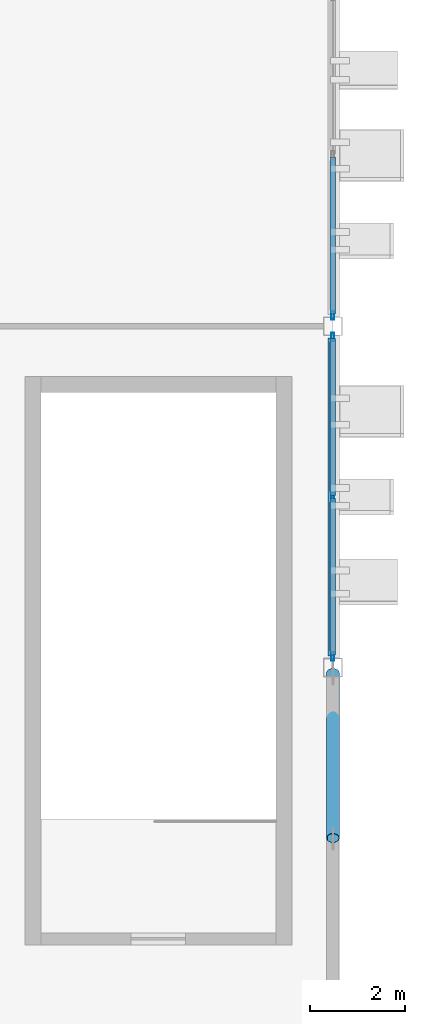
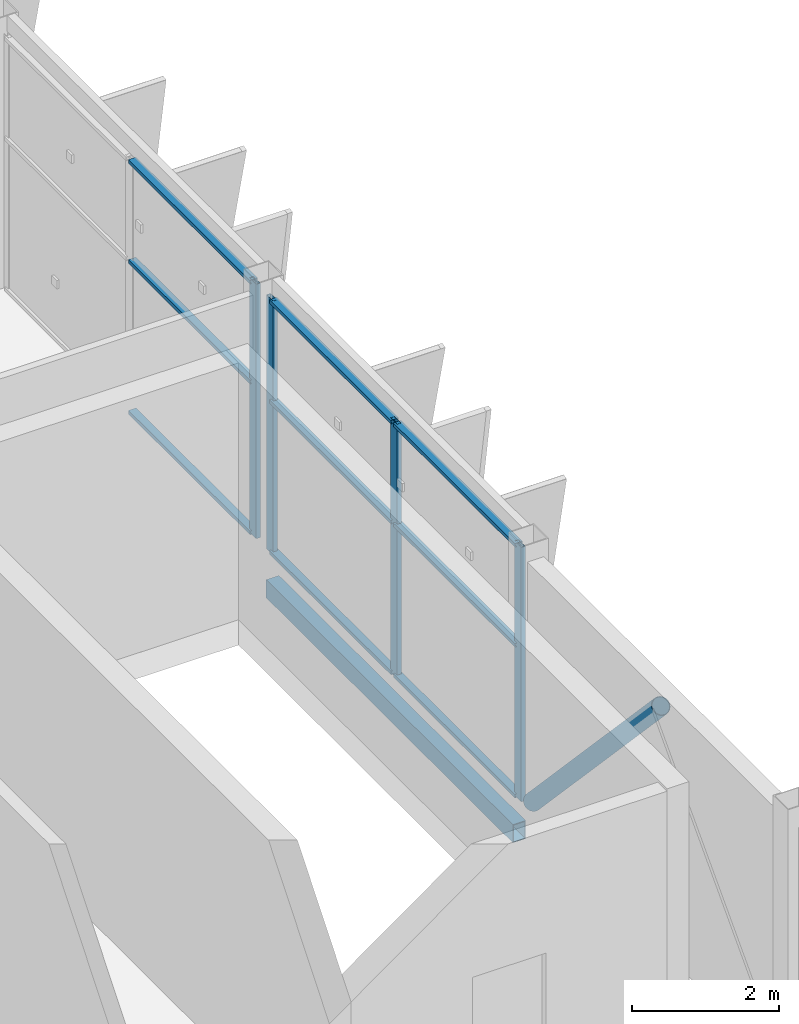
# One storey, part 83 of 151: 14 members, 1 beam, 2 elements without a shape of their own.
"""IFC4 building model written with IfcOpenShell, lengths in metres."""

from ifc_helpers import new_model, si_unit, direction, frame, origin, origin_2d, place, context, subcontext, project, spatial, hollow_rectangle, hollow_circle, extrude, material, layer, layer_set, material_profile, profile_set, type_object, element, aggregate, save


model = new_model("IFC4")

# Units and contexts
model_context = context("Model", 3, precision=1e-05, world=origin(), true_north=direction((0.0, 1.0)))
body_context = subcontext(model_context, "Body", "Model", "MODEL_VIEW")
ifc_project = project(units=[si_unit("LENGTHUNIT", "METRE"), si_unit("AREAUNIT", "SQUARE_METRE"), si_unit("VOLUMEUNIT", "CUBIC_METRE"), si_unit("PLANEANGLEUNIT", "RADIAN"), si_unit("MASSUNIT", "GRAM", prefix="KILO")], contexts=[model_context])

# Site, building, storey
site_placement = place(None, origin())
site = spatial("IfcSite", under=ifc_project, at=site_placement, CompositionType="ELEMENT")
building_placement = place(site_placement, origin())
building = spatial("IfcBuilding", under=site, at=building_placement, Name="Celestram Park Convention Centre", CompositionType="ELEMENT")
storey_placement = place(building_placement, frame((0.0, 0.0, 10.800048828125)))
storey = spatial("IfcBuildingStorey", under=building, at=storey_placement, Name="L02", CompositionType="ELEMENT", Elevation=10.800048828125)

# Curtain wall, member
ifc_material_1 = material(Name="Anodised Aluminium Alloy 6063-T6", Category="aluminium")
ifc_layer = layer(ifc_material_1, 0.179931640625)
ifc_layer_set = layer_set([ifc_layer], Name="Anodised Aluminium Alloy 6063-T6")
curtain_wall_type = type_object("IfcCurtainWallType", Name="ARC-CW-680X422", PredefinedType="NOTDEFINED", material=ifc_layer_set)
curtain_wall_1_placement = place(storey_placement, origin())
curtain_wall_1 = element("IfcCurtainWall", 1, at=curtain_wall_1_placement, inside=storey, type_object=curtain_wall_type, Name="Unitised curtain wall CU-L02-173", PredefinedType="NOTDEFINED")
ifc_material_profile_1 = material_profile(ifc_material_1, hollow_rectangle(XDim=0.06494140625, YDim=0.179931640625, WallThickness=0.00390625, at=origin_2d()), Name="ALU65X180X4")
ifc_profile_set_1 = profile_set([ifc_material_profile_1], Name="Anodised Aluminium Alloy 6063-T6")
member_type_1 = type_object("IfcMemberType", Name="ARC-CWM-150", PredefinedType="MULLION", material=ifc_profile_set_1)
member_1_placement = place(storey_placement, frame((216.0, 137.030517578125, 0.0), z_axis=(0.0, 0.0, 1.0), x_axis=(1.0, 0.0, 0.0)))
member_1 = element("IfcMember", 2, at=member_1_placement, type_object=member_type_1, Name="CW-68X42 mullion 3", PredefinedType="MULLION", context=body_context, shape_type="SweptSolid", body=[
    extrude(hollow_rectangle(XDim=0.06494140625, YDim=0.179931640625, WallThickness=0.00390625, at=origin_2d()), origin(), (0.0, 0.0, 1.0), 4.219970703125),
])

# Curtain wall, members
curtain_wall_2_placement = place(storey_placement, origin())
curtain_wall_2 = element("IfcCurtainWall", 3, at=curtain_wall_2_placement, inside=storey, type_object=curtain_wall_type, Name="Unitised curtain wall CU-L02-174", PredefinedType="NOTDEFINED")
member_2_placement = place(storey_placement, frame((216.0, 136.569580078125, 0.0), z_axis=(0.0, 0.0, 1.0), x_axis=(1.0, 0.0, 0.0)))
member_2 = element("IfcMember", 4, at=member_2_placement, type_object=member_type_1, Name="CW-68X42 mullion 1", PredefinedType="MULLION", context=body_context, shape_type="SweptSolid", body=[
    extrude(hollow_rectangle(XDim=0.06494140625, YDim=0.179931640625, WallThickness=0.00390625, at=origin_2d()), origin(), (0.0, 0.0, 1.0), 4.219970703125),
])
member_3_placement = place(storey_placement, frame((216.0, 133.199951171875, 0.0), z_axis=(0.0, 0.0, 1.0), x_axis=(1.0, 0.0, 0.0)))
member_3 = element("IfcMember", 5, at=member_3_placement, type_object=member_type_1, Name="CW-68X42 mullion 2", PredefinedType="MULLION", context=body_context, shape_type="SweptSolid", body=[
    extrude(hollow_rectangle(XDim=0.06494140625, YDim=0.179931640625, WallThickness=0.00390625, at=origin_2d()), origin(), (0.0, 0.0, 1.0), 4.219970703125),
])
member_4_placement = place(storey_placement, frame((216.0, 129.83056640625, 0.0), z_axis=(0.0, 0.0, 1.0), x_axis=(1.0, 0.0, 0.0)))
member_4 = element("IfcMember", 6, at=member_4_placement, type_object=member_type_1, Name="CW-68X42 mullion 3", PredefinedType="MULLION", context=body_context, shape_type="SweptSolid", body=[
    extrude(hollow_rectangle(XDim=0.06494140625, YDim=0.179931640625, WallThickness=0.00390625, at=origin_2d()), origin(), (0.0, 0.0, 1.0), 4.219970703125),
])

# Member
ifc_material_profile_2 = material_profile(ifc_material_1, hollow_rectangle(XDim=0.1201171875, YDim=0.06005859375, WallThickness=0.0029296875, at=origin_2d()), Name="ALU120X60X3")
ifc_profile_set_2 = profile_set([ifc_material_profile_2], Name="Anodised Aluminium Alloy 6063-T6")
member_type_2 = type_object("IfcMemberType", Name="ARC-CWT-120", PredefinedType="USERDEFINED", material=ifc_profile_set_2)
member_5_placement = place(storey_placement, frame((216.0, 140.367431640625, 0.030029296875), z_axis=(0.0, -1.0, 0.0), x_axis=(1.0, 0.0, 0.0)))
member_5 = element("IfcMember", 7, at=member_5_placement, type_object=member_type_2, Name="CW-68X42 transom 2.1", ObjectType="TRANSOM", PredefinedType="USERDEFINED", context=body_context, shape_type="SweptSolid", body=[
    extrude(hollow_rectangle(XDim=0.1201171875, YDim=0.06005859375, WallThickness=0.0029296875, at=origin_2d()), origin(), (0.0, 0.0, 1.0), 3.304443359375),
])

member_6_placement = place(storey_placement, frame((216.0, 140.367431640625, 2.531982421875), z_axis=(0.0, -1.0, 0.0), x_axis=(1.0, 0.0, 0.0)))
member_6 = element("IfcMember", 8, at=member_6_placement, type_object=member_type_2, Name="CW-68X42 transom 2.2", ObjectType="TRANSOM", PredefinedType="USERDEFINED", context=body_context, shape_type="SweptSolid", body=[
    extrude(hollow_rectangle(XDim=0.1201171875, YDim=0.06005859375, WallThickness=0.0029296875, at=origin_2d()), origin(), (0.0, 0.0, 1.0), 3.304443359375),
])

member_7_placement = place(storey_placement, frame((216.0, 140.367431640625, 4.18994140625), z_axis=(0.0, -1.0, 0.0), x_axis=(1.0, 0.0, 0.0)))
member_7 = element("IfcMember", 9, at=member_7_placement, type_object=member_type_2, Name="CW-68X42 transom 2.3", ObjectType="TRANSOM", PredefinedType="USERDEFINED", context=body_context, shape_type="SweptSolid", body=[
    extrude(hollow_rectangle(XDim=0.1201171875, YDim=0.06005859375, WallThickness=0.0029296875, at=origin_2d()), origin(), (0.0, 0.0, 1.0), 3.304443359375),
])

aggregate(curtain_wall_1, [member_1, member_5, member_6, member_7])

member_8_placement = place(storey_placement, frame((216.0, 136.537109375, 0.030029296875), z_axis=(0.0, -1.0, 0.0), x_axis=(1.0, 0.0, 0.0)))
member_8 = element("IfcMember", 10, at=member_8_placement, type_object=member_type_2, Name="CW-68X42 transom 1.1", ObjectType="TRANSOM", PredefinedType="USERDEFINED", context=body_context, shape_type="SweptSolid", body=[
    extrude(hollow_rectangle(XDim=0.1201171875, YDim=0.06005859375, WallThickness=0.0029296875, at=origin_2d()), origin(), (0.0, 0.0, 1.0), 3.3046875),
])

member_9_placement = place(storey_placement, frame((216.0, 136.537109375, 2.531982421875), z_axis=(0.0, -1.0, 0.0), x_axis=(1.0, 0.0, 0.0)))
member_9 = element("IfcMember", 11, at=member_9_placement, type_object=member_type_2, Name="CW-68X42 transom 1.2", ObjectType="TRANSOM", PredefinedType="USERDEFINED", context=body_context, shape_type="SweptSolid", body=[
    extrude(hollow_rectangle(XDim=0.1201171875, YDim=0.06005859375, WallThickness=0.0029296875, at=origin_2d()), origin(), (0.0, 0.0, 1.0), 3.3046875),
])

member_10_placement = place(storey_placement, frame((216.0, 136.537109375, 4.18994140625), z_axis=(0.0, -1.0, 0.0), x_axis=(1.0, 0.0, 0.0)))
member_10 = element("IfcMember", 12, at=member_10_placement, type_object=member_type_2, Name="CW-68X42 transom 1.3", ObjectType="TRANSOM", PredefinedType="USERDEFINED", context=body_context, shape_type="SweptSolid", body=[
    extrude(hollow_rectangle(XDim=0.1201171875, YDim=0.06005859375, WallThickness=0.0029296875, at=origin_2d()), origin(), (0.0, 0.0, 1.0), 3.3046875),
])

member_11_placement = place(storey_placement, frame((216.0, 133.16748046875, 0.030029296875), z_axis=(0.0, -1.0, 0.0), x_axis=(1.0, 0.0, 0.0)))
member_11 = element("IfcMember", 13, at=member_11_placement, type_object=member_type_2, Name="CW-68X42 transom 2.1", ObjectType="TRANSOM", PredefinedType="USERDEFINED", context=body_context, shape_type="SweptSolid", body=[
    extrude(hollow_rectangle(XDim=0.1201171875, YDim=0.06005859375, WallThickness=0.0029296875, at=origin_2d()), origin(), (0.0, 0.0, 1.0), 3.304443359375),
])

member_12_placement = place(storey_placement, frame((216.0, 133.16748046875, 2.531982421875), z_axis=(0.0, -1.0, 0.0), x_axis=(1.0, 0.0, 0.0)))
member_12 = element("IfcMember", 14, at=member_12_placement, type_object=member_type_2, Name="CW-68X42 transom 2.2", ObjectType="TRANSOM", PredefinedType="USERDEFINED", context=body_context, shape_type="SweptSolid", body=[
    extrude(hollow_rectangle(XDim=0.1201171875, YDim=0.06005859375, WallThickness=0.0029296875, at=origin_2d()), origin(), (0.0, 0.0, 1.0), 3.304443359375),
])

member_13_placement = place(storey_placement, frame((216.0, 133.16748046875, 4.18994140625), z_axis=(0.0, -1.0, 0.0), x_axis=(1.0, 0.0, 0.0)))
member_13 = element("IfcMember", 15, at=member_13_placement, type_object=member_type_2, Name="CW-68X42 transom 2.3", ObjectType="TRANSOM", PredefinedType="USERDEFINED", context=body_context, shape_type="SweptSolid", body=[
    extrude(hollow_rectangle(XDim=0.1201171875, YDim=0.06005859375, WallThickness=0.0029296875, at=origin_2d()), origin(), (0.0, 0.0, 1.0), 3.304443359375),
])

aggregate(curtain_wall_2, [member_2, member_3, member_4, member_8, member_9, member_10, member_11, member_12, member_13])

ifc_material_2 = material(Name="Steel ASTM A500 Grade C", Category="steel")
ifc_material_profile_3 = material_profile(ifc_material_2, hollow_circle(Radius=0.136474609375, WallThickness=0.010009765625, at=origin_2d()), Name="CHS273X10")
ifc_profile_set_3 = profile_set([ifc_material_profile_3], Name="Steel ASTM A500 Grade C")
member_type_3 = type_object("IfcMemberType", Name="STR-BRC-CHS273", PredefinedType="BRACE", material=ifc_profile_set_3)
member_14_placement = place(storey_placement, frame((216.0, 129.47998046875, 0.14990234375), z_axis=(0.0, -0.685121777137, 0.728428548653), x_axis=(1.0, 0.0, 0.0)))
element("IfcMember", 16, at=member_14_placement, inside=storey, type_object=member_type_3, Name="Chevron braced-frame diagonal BF-L02-014", PredefinedType="BRACE", context=body_context, shape_type="SweptSolid", body=[
    extrude(hollow_circle(Radius=0.136474609375, WallThickness=0.010009765625, at=origin_2d()), origin(), (0.0, 0.0, 1.0), 5.079345703125),
])

# Beam
ifc_material_profile_4 = material_profile(ifc_material_2, hollow_rectangle(XDim=0.199951171875, YDim=0.300048828125, WallThickness=0.011962890625, at=origin_2d()), Name="HSS300X200X12")
ifc_profile_set_4 = profile_set([ifc_material_profile_4], Name="Steel ASTM A500 Grade C")
beam_type = type_object("IfcBeamType", Name="STR-SPN-HSS300X200", PredefinedType="SPANDREL", material=ifc_profile_set_4)
beam_placement = place(storey_placement, frame((216.0, 129.847900390625, -0.570068359375), z_axis=(0.0, 1.0, 0.0), x_axis=(-1.0, 0.0, 0.0)))
element("IfcBeam", 17, at=beam_placement, inside=storey, type_object=beam_type, Name="Primary Y-girder BG-L02-0367", PredefinedType="SPANDREL", context=body_context, shape_type="SweptSolid", body=[
    extrude(hollow_rectangle(XDim=0.199951171875, YDim=0.300048828125, WallThickness=0.011962890625, at=origin_2d()), origin(), (0.0, 0.0, 1.0), 6.7041015625),
])

save(model, "model.ifc")
